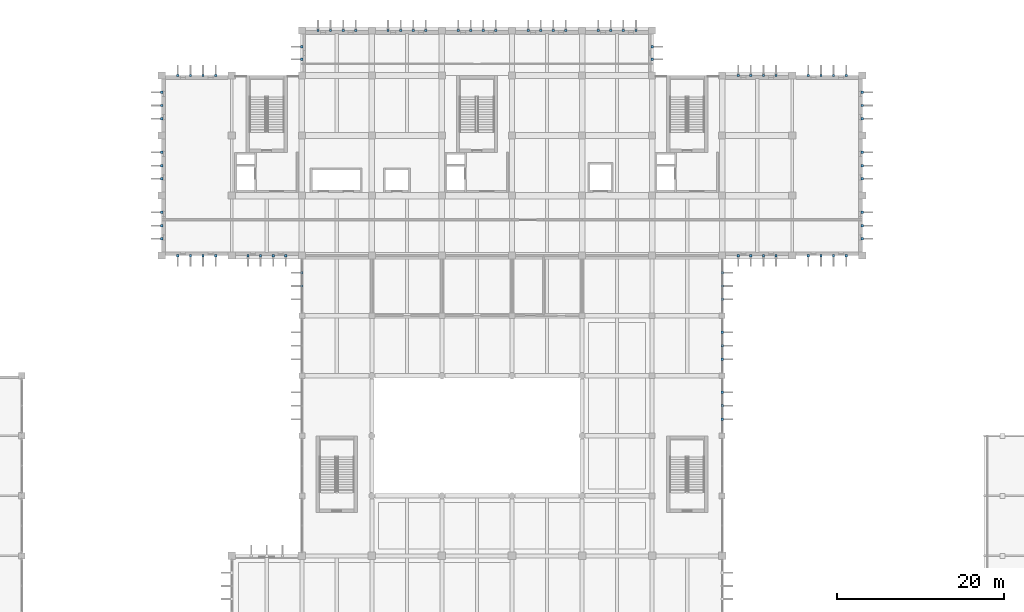
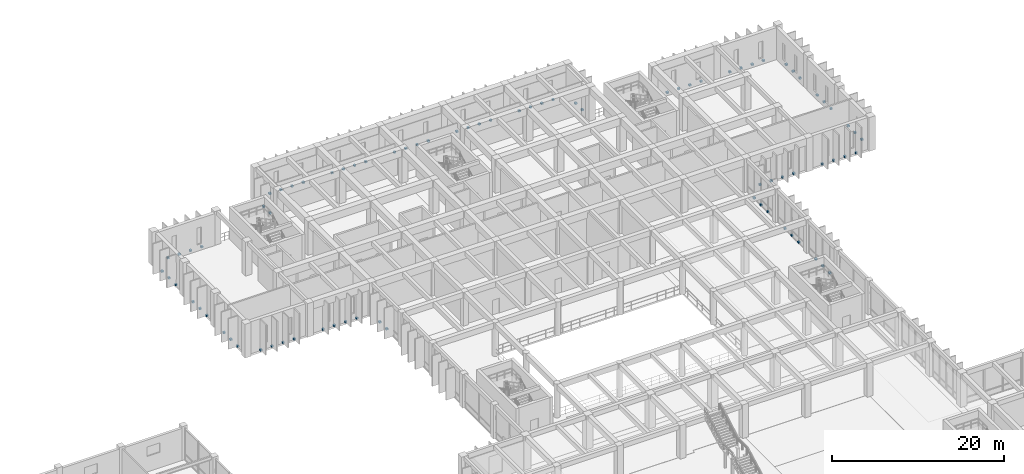
# One storey, part 40 of 51: 81 discrete accessories.
"""IFC4 building model written with IfcOpenShell, lengths in metres."""

from ifc_helpers import new_model, si_unit, direction, frame, origin, origin_2d, place, context, subcontext, project, spatial, rectangle, extrude, material, type_object, element, save


model = new_model("IFC4")

# Units and contexts
model_context = context("Model", 3, precision=1e-05, world=origin(), true_north=direction((0.0, 1.0)))
body_context = subcontext(model_context, "Body", "Model", "MODEL_VIEW")
ifc_project = project(units=[si_unit("LENGTHUNIT", "METRE"), si_unit("AREAUNIT", "SQUARE_METRE"), si_unit("VOLUMEUNIT", "CUBIC_METRE"), si_unit("PLANEANGLEUNIT", "RADIAN"), si_unit("MASSUNIT", "GRAM", prefix="KILO")], contexts=[model_context])

# Site, building, storey
site_placement = place(None, origin())
site = spatial("IfcSite", under=ifc_project, at=site_placement, CompositionType="ELEMENT")
building_placement = place(site_placement, origin())
building = spatial("IfcBuilding", under=site, at=building_placement, Name="Kenerak Square Central Library", CompositionType="ELEMENT")
storey_placement = place(building_placement, frame((0.0, 0.0, 9.60009765625)))
storey = spatial("IfcBuildingStorey", under=building, at=storey_placement, Name="L02", CompositionType="ELEMENT", Elevation=9.60009765625)

# Discrete accessories
ifc_material = material(Name="Steel S355", Category="steel")
discrete_accessory_type = type_object("IfcDiscreteAccessoryType", Name="Solar Fin Structural Cleat Bracket BRK-S355", PredefinedType="BRACKET", material=ifc_material)
for number, where, z_axis, x_axis, name in (
    (1, (66.800048828125, 85.16259765625, 0.0), (0.0, 0.0, 1.0), (0.0, 1.0, 0.0), "Solar Fin Cleat Bracket BRK-01 L02 0087"),
    (2, (66.800048828125, 86.768798828125, 0.0), (0.0, 0.0, 1.0), (0.0, 1.0, 0.0), "Solar Fin Cleat Bracket BRK-01 L02 0088"),
    (3, (64.864990234375, 88.800048828125, 0.0), (0.0, 0.0, 1.0), (-1.0, 0.0, 0.0), "Solar Fin Cleat Bracket BRK-01 L02 0089"),
    (4, (63.35498046875, 88.800048828125, 0.0), (0.0, 0.0, 1.0), (-1.0, 0.0, 0.0), "Solar Fin Cleat Bracket BRK-01 L02 0090"),
    (5, (61.844970703125, 88.800048828125, 0.0), (0.0, 0.0, 1.0), (-1.0, 0.0, 0.0), "Solar Fin Cleat Bracket BRK-01 L02 0091"),
    (6, (60.3349609375, 88.800048828125, 0.0), (0.0, 0.0, 1.0), (-1.0, 0.0, 0.0), "Solar Fin Cleat Bracket BRK-01 L02 0092"),
    (7, (56.465087890625, 88.800048828125, 0.0), (0.0, 0.0, 1.0), (-1.0, 0.0, 0.0), "Solar Fin Cleat Bracket BRK-01 L02 0093"),
    (8, (54.955078125, 88.800048828125, 0.0), (0.0, 0.0, 1.0), (-1.0, 0.0, 0.0), "Solar Fin Cleat Bracket BRK-01 L02 0094"),
    (9, (53.445068359375, 88.800048828125, 0.0), (0.0, 0.0, 1.0), (-1.0, 0.0, 0.0), "Solar Fin Cleat Bracket BRK-01 L02 0095"),
    (10, (51.93505859375, 88.800048828125, 0.0), (0.0, 0.0, 1.0), (-1.0, 0.0, 0.0), "Solar Fin Cleat Bracket BRK-01 L02 0096"),
    (11, (50.0, 90.8125, 0.0), (0.0, 0.0, 1.0), (0.0, 1.0, 0.0), "Solar Fin Cleat Bracket BRK-01 L02 0097"),
    (12, (50.0, 92.39990234375, 0.0), (0.0, 0.0, 1.0), (0.0, 1.0, 0.0), "Solar Fin Cleat Bracket BRK-01 L02 0098"),
    (13, (50.0, 93.987548828125, 0.0), (0.0, 0.0, 1.0), (0.0, 1.0, 0.0), "Solar Fin Cleat Bracket BRK-01 L02 0099"),
    (14, (50.0, 98.012451171875, 0.0), (0.0, 0.0, 1.0), (0.0, 1.0, 0.0), "Solar Fin Cleat Bracket BRK-01 L02 0100"),
    (15, (50.0, 99.60009765625, 0.0), (0.0, 0.0, 1.0), (0.0, 1.0, 0.0), "Solar Fin Cleat Bracket BRK-01 L02 0101"),
    (16, (50.0, 101.1875, 0.0), (0.0, 0.0, 1.0), (0.0, 1.0, 0.0), "Solar Fin Cleat Bracket BRK-01 L02 0102"),
    (17, (50.0, 105.21240234375, 0.0), (0.0, 0.0, 1.0), (0.0, 1.0, 0.0), "Solar Fin Cleat Bracket BRK-01 L02 0103"),
    (18, (50.0, 106.800048828125, 0.0), (0.0, 0.0, 1.0), (0.0, 1.0, 0.0), "Solar Fin Cleat Bracket BRK-01 L02 0104"),
    (19, (50.0, 108.387451171875, 0.0), (0.0, 0.0, 1.0), (0.0, 1.0, 0.0), "Solar Fin Cleat Bracket BRK-01 L02 0105"),
    (20, (51.93505859375, 110.39990234375, 0.0), (0.0, 0.0, 1.0), (1.0, 0.0, 0.0), "Solar Fin Cleat Bracket BRK-01 L02 0106"),
    (21, (53.445068359375, 110.39990234375, 0.0), (0.0, 0.0, 1.0), (1.0, 0.0, 0.0), "Solar Fin Cleat Bracket BRK-01 L02 0107"),
    (22, (54.955078125, 110.39990234375, 0.0), (0.0, 0.0, 1.0), (1.0, 0.0, 0.0), "Solar Fin Cleat Bracket BRK-01 L02 0108"),
    (23, (56.465087890625, 110.39990234375, 0.0), (0.0, 0.0, 1.0), (1.0, 0.0, 0.0), "Solar Fin Cleat Bracket BRK-01 L02 0109"),
    (24, (66.800048828125, 112.341796875, 0.0), (0.0, 0.0, 1.0), (0.0, 1.0, 0.0), "Solar Fin Cleat Bracket BRK-01 L02 0110"),
    (25, (66.800048828125, 113.8583984375, 0.0), (0.0, 0.0, 1.0), (0.0, 1.0, 0.0), "Solar Fin Cleat Bracket BRK-01 L02 0111"),
    (26, (68.735107421875, 115.800048828125, 0.0), (0.0, 0.0, 1.0), (1.0, 0.0, 0.0), "Solar Fin Cleat Bracket BRK-01 L02 0112"),
    (27, (70.2451171875, 115.800048828125, 0.0), (0.0, 0.0, 1.0), (1.0, 0.0, 0.0), "Solar Fin Cleat Bracket BRK-01 L02 0113"),
    (28, (71.7548828125, 115.800048828125, 0.0), (0.0, 0.0, 1.0), (1.0, 0.0, 0.0), "Solar Fin Cleat Bracket BRK-01 L02 0114"),
    (29, (73.264892578125, 115.800048828125, 0.0), (0.0, 0.0, 1.0), (1.0, 0.0, 0.0), "Solar Fin Cleat Bracket BRK-01 L02 0115"),
    (30, (77.135009765625, 115.800048828125, 0.0), (0.0, 0.0, 1.0), (1.0, 0.0, 0.0), "Solar Fin Cleat Bracket BRK-01 L02 0116"),
    (31, (78.64501953125, 115.800048828125, 0.0), (0.0, 0.0, 1.0), (1.0, 0.0, 0.0), "Solar Fin Cleat Bracket BRK-01 L02 0117"),
    (32, (80.155029296875, 115.800048828125, 0.0), (0.0, 0.0, 1.0), (1.0, 0.0, 0.0), "Solar Fin Cleat Bracket BRK-01 L02 0118"),
    (33, (81.6650390625, 115.800048828125, 0.0), (0.0, 0.0, 1.0), (1.0, 0.0, 0.0), "Solar Fin Cleat Bracket BRK-01 L02 0119"),
    (34, (85.534912109375, 115.800048828125, 0.0), (0.0, 0.0, 1.0), (1.0, 0.0, 0.0), "Solar Fin Cleat Bracket BRK-01 L02 0120"),
    (35, (87.044921875, 115.800048828125, 0.0), (0.0, 0.0, 1.0), (1.0, 0.0, 0.0), "Solar Fin Cleat Bracket BRK-01 L02 0121"),
    (36, (88.554931640625, 115.800048828125, 0.0), (0.0, 0.0, 1.0), (1.0, 0.0, 0.0), "Solar Fin Cleat Bracket BRK-01 L02 0122"),
    (37, (90.06494140625, 115.800048828125, 0.0), (0.0, 0.0, 1.0), (1.0, 0.0, 0.0), "Solar Fin Cleat Bracket BRK-01 L02 0123"),
    (38, (93.93505859375, 115.800048828125, 0.0), (0.0, 0.0, 1.0), (1.0, 0.0, 0.0), "Solar Fin Cleat Bracket BRK-01 L02 0124"),
    (39, (95.445068359375, 115.800048828125, 0.0), (0.0, 0.0, 1.0), (1.0, 0.0, 0.0), "Solar Fin Cleat Bracket BRK-01 L02 0125"),
    (40, (96.955078125, 115.800048828125, 0.0), (0.0, 0.0, 1.0), (1.0, 0.0, 0.0), "Solar Fin Cleat Bracket BRK-01 L02 0126"),
    (41, (98.465087890625, 115.800048828125, 0.0), (0.0, 0.0, 1.0), (1.0, 0.0, 0.0), "Solar Fin Cleat Bracket BRK-01 L02 0127"),
    (42, (102.3349609375, 115.800048828125, 0.0), (0.0, 0.0, 1.0), (1.0, 0.0, 0.0), "Solar Fin Cleat Bracket BRK-01 L02 0128"),
    (43, (103.844970703125, 115.800048828125, 0.0), (0.0, 0.0, 1.0), (1.0, 0.0, 0.0), "Solar Fin Cleat Bracket BRK-01 L02 0129"),
    (44, (105.35498046875, 115.800048828125, 0.0), (0.0, 0.0, 1.0), (1.0, 0.0, 0.0), "Solar Fin Cleat Bracket BRK-01 L02 0130"),
    (45, (106.864990234375, 115.800048828125, 0.0), (0.0, 0.0, 1.0), (1.0, 0.0, 0.0), "Solar Fin Cleat Bracket BRK-01 L02 0131"),
    (46, (108.800048828125, 113.8583984375, 0.0), (0.0, 0.0, 1.0), (0.0, -1.0, 0.0), "Solar Fin Cleat Bracket BRK-01 L02 0132"),
    (47, (108.800048828125, 112.341796875, 0.0), (0.0, 0.0, 1.0), (0.0, -1.0, 0.0), "Solar Fin Cleat Bracket BRK-01 L02 0133"),
    (48, (119.135009765625, 110.39990234375, 0.0), (0.0, 0.0, 1.0), (1.0, 0.0, 0.0), "Solar Fin Cleat Bracket BRK-01 L02 0134"),
    (49, (120.64501953125, 110.39990234375, 0.0), (0.0, 0.0, 1.0), (1.0, 0.0, 0.0), "Solar Fin Cleat Bracket BRK-01 L02 0135"),
    (50, (122.155029296875, 110.39990234375, 0.0), (0.0, 0.0, 1.0), (1.0, 0.0, 0.0), "Solar Fin Cleat Bracket BRK-01 L02 0136"),
    (51, (123.6650390625, 110.39990234375, 0.0), (0.0, 0.0, 1.0), (1.0, 0.0, 0.0), "Solar Fin Cleat Bracket BRK-01 L02 0137"),
    (52, (127.534912109375, 110.39990234375, 0.0), (0.0, 0.0, 1.0), (1.0, 0.0, 0.0), "Solar Fin Cleat Bracket BRK-01 L02 0138"),
    (53, (129.044921875, 110.39990234375, 0.0), (0.0, 0.0, 1.0), (1.0, 0.0, 0.0), "Solar Fin Cleat Bracket BRK-01 L02 0139"),
    (54, (130.554931640625, 110.39990234375, 0.0), (0.0, 0.0, 1.0), (1.0, 0.0, 0.0), "Solar Fin Cleat Bracket BRK-01 L02 0140"),
    (55, (132.06494140625, 110.39990234375, 0.0), (0.0, 0.0, 1.0), (1.0, 0.0, 0.0), "Solar Fin Cleat Bracket BRK-01 L02 0141"),
    (56, (134.0, 108.387451171875, 0.0), (0.0, 0.0, 1.0), (0.0, -1.0, 0.0), "Solar Fin Cleat Bracket BRK-01 L02 0142"),
    (57, (134.0, 106.800048828125, 0.0), (0.0, 0.0, 1.0), (0.0, -1.0, 0.0), "Solar Fin Cleat Bracket BRK-01 L02 0143"),
    (58, (134.0, 105.21240234375, 0.0), (0.0, 0.0, 1.0), (0.0, -1.0, 0.0), "Solar Fin Cleat Bracket BRK-01 L02 0144"),
    (59, (134.0, 101.1875, 0.0), (0.0, 0.0, 1.0), (0.0, -1.0, 0.0), "Solar Fin Cleat Bracket BRK-01 L02 0145"),
    (60, (134.0, 99.60009765625, 0.0), (0.0, 0.0, 1.0), (0.0, -1.0, 0.0), "Solar Fin Cleat Bracket BRK-01 L02 0146"),
    (61, (134.0, 98.012451171875, 0.0), (0.0, 0.0, 1.0), (0.0, -1.0, 0.0), "Solar Fin Cleat Bracket BRK-01 L02 0147"),
    (62, (134.0, 93.987548828125, 0.0), (0.0, 0.0, 1.0), (0.0, -1.0, 0.0), "Solar Fin Cleat Bracket BRK-01 L02 0148"),
    (63, (134.0, 92.39990234375, 0.0), (0.0, 0.0, 1.0), (0.0, -1.0, 0.0), "Solar Fin Cleat Bracket BRK-01 L02 0149"),
    (64, (134.0, 90.8125, 0.0), (0.0, 0.0, 1.0), (0.0, -1.0, 0.0), "Solar Fin Cleat Bracket BRK-01 L02 0150"),
    (65, (132.06494140625, 88.800048828125, 0.0), (0.0, 0.0, 1.0), (-1.0, 0.0, 0.0), "Solar Fin Cleat Bracket BRK-01 L02 0151"),
    (66, (130.554931640625, 88.800048828125, 0.0), (0.0, 0.0, 1.0), (-1.0, 0.0, 0.0), "Solar Fin Cleat Bracket BRK-01 L02 0152"),
    (67, (129.044921875, 88.800048828125, 0.0), (0.0, 0.0, 1.0), (-1.0, 0.0, 0.0), "Solar Fin Cleat Bracket BRK-01 L02 0153"),
    (68, (127.534912109375, 88.800048828125, 0.0), (0.0, 0.0, 1.0), (-1.0, 0.0, 0.0), "Solar Fin Cleat Bracket BRK-01 L02 0154"),
    (69, (123.6650390625, 88.800048828125, 0.0), (0.0, 0.0, 1.0), (-1.0, 0.0, 0.0), "Solar Fin Cleat Bracket BRK-01 L02 0155"),
    (70, (122.155029296875, 88.800048828125, 0.0), (0.0, 0.0, 1.0), (-1.0, 0.0, 0.0), "Solar Fin Cleat Bracket BRK-01 L02 0156"),
    (71, (120.64501953125, 88.800048828125, 0.0), (0.0, 0.0, 1.0), (-1.0, 0.0, 0.0), "Solar Fin Cleat Bracket BRK-01 L02 0157"),
    (72, (119.135009765625, 88.800048828125, 0.0), (0.0, 0.0, 1.0), (-1.0, 0.0, 0.0), "Solar Fin Cleat Bracket BRK-01 L02 0158"),
    (73, (117.199951171875, 86.768798828125, 0.0), (0.0, 0.0, 1.0), (0.0, -1.0, 0.0), "Solar Fin Cleat Bracket BRK-01 L02 0159"),
    (74, (117.199951171875, 85.16259765625, 0.0), (0.0, 0.0, 1.0), (0.0, -1.0, 0.0), "Solar Fin Cleat Bracket BRK-01 L02 0160"),
    (75, (117.199951171875, 83.556396484375, 0.0), (0.0, 0.0, 1.0), (0.0, -1.0, 0.0), "Solar Fin Cleat Bracket BRK-01 L02 0161"),
    (76, (117.199951171875, 79.625, 0.0), (0.0, 0.0, 1.0), (0.0, -1.0, 0.0), "Solar Fin Cleat Bracket BRK-01 L02 0162"),
    (77, (117.199951171875, 78.0, 0.0), (0.0, 0.0, 1.0), (0.0, -1.0, 0.0), "Solar Fin Cleat Bracket BRK-01 L02 0163"),
    (78, (117.199951171875, 76.375, 0.0), (0.0, 0.0, 1.0), (0.0, -1.0, 0.0), "Solar Fin Cleat Bracket BRK-01 L02 0164"),
    (79, (117.199951171875, 72.425048828125, 0.0), (0.0, 0.0, 1.0), (0.0, -1.0, 0.0), "Solar Fin Cleat Bracket BRK-01 L02 0165"),
    (80, (117.199951171875, 70.800048828125, 0.0), (0.0, 0.0, 1.0), (0.0, -1.0, 0.0), "Solar Fin Cleat Bracket BRK-01 L02 0166"),
    (81, (117.199951171875, 69.175048828125, 0.0), (0.0, 0.0, 1.0), (0.0, -1.0, 0.0), "Solar Fin Cleat Bracket BRK-01 L02 0167"),
):
    element("IfcDiscreteAccessory", number, at=place(storey_placement, frame(where, z_axis=z_axis, x_axis=x_axis)), inside=storey, type_object=discrete_accessory_type, Name=name, PredefinedType="BRACKET", context=body_context, shape_type="SweptSolid", body=[
        extrude(rectangle(XDim=0.280029296875, YDim=0.280029296875, at=origin_2d()), origin(), (0.0, 0.0, 1.0), 0.239990234375),
    ])

save(model, "model.ifc")
